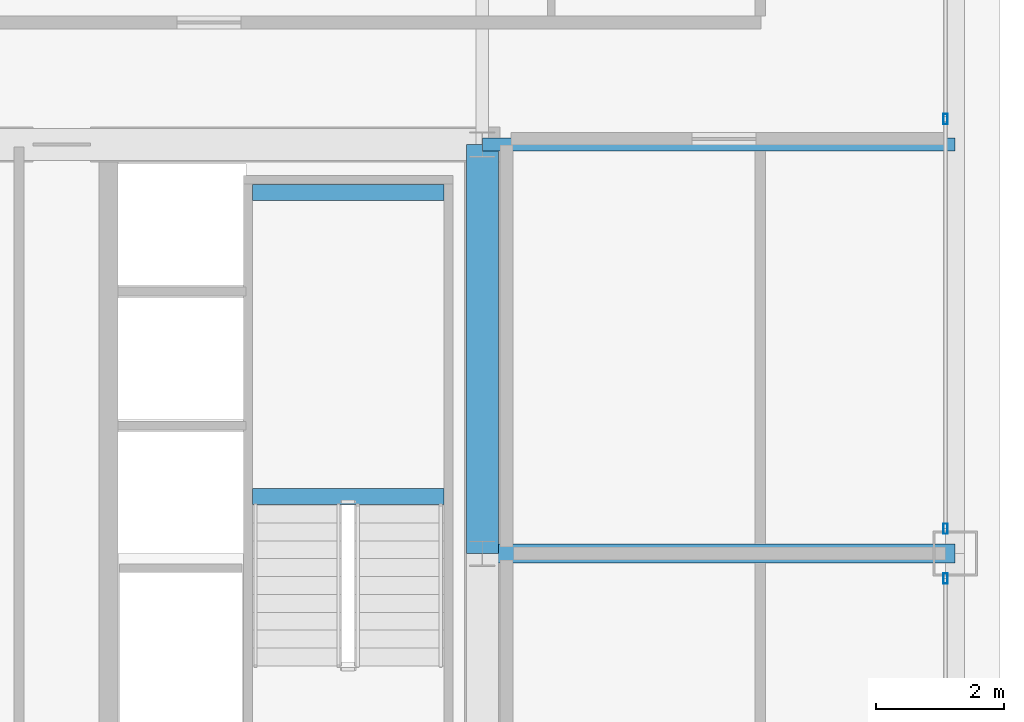
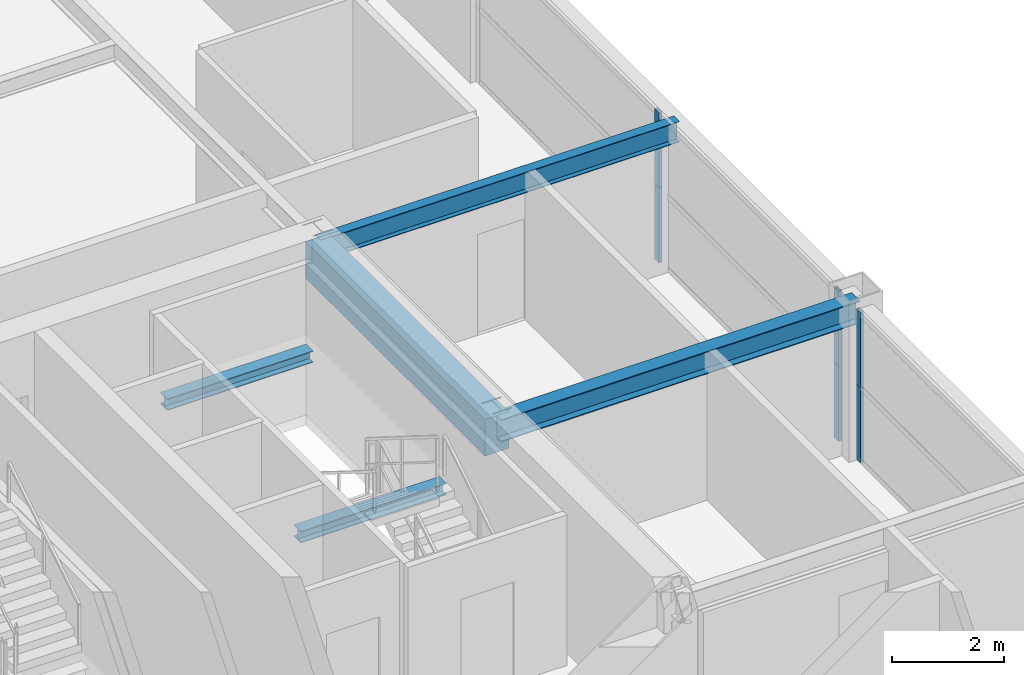
# One storey, part 20 of 36: 6 members, 5 beams, 2 elements without a shape of their own.
"""IFC4 building model written with IfcOpenShell, lengths in metres."""

from ifc_helpers import new_model, si_unit, direction, frame, origin, origin_2d, place, context, subcontext, project, spatial, rectangle, hollow_rectangle, i_section, extrude, source, transform, mapped, material, layer, layer_set, material_profile, profile_set, type_object, element, aggregate, save


model = new_model("IFC4")

# Units and contexts
model_context = context("Model", 3, precision=1e-05, world=origin(), true_north=direction((0.0, 1.0)))
body_context = subcontext(model_context, "Body", "Model", "MODEL_VIEW")
ifc_project = project(units=[si_unit("LENGTHUNIT", "METRE"), si_unit("AREAUNIT", "SQUARE_METRE"), si_unit("VOLUMEUNIT", "CUBIC_METRE"), si_unit("PLANEANGLEUNIT", "RADIAN"), si_unit("MASSUNIT", "GRAM", prefix="KILO"), si_unit("THERMODYNAMICTEMPERATUREUNIT", "KELVIN"), si_unit("POWERUNIT", "WATT")], contexts=[model_context])

# Site, building, storey
site_placement = place(None, origin())
site = spatial("IfcSite", under=ifc_project, at=site_placement, CompositionType="ELEMENT")
building_placement = place(site_placement, origin())
building = spatial("IfcBuilding", under=site, at=building_placement, Name="Yuzanri Waterfront Tower", CompositionType="ELEMENT")
storey_placement = place(building_placement, frame((0.0, 0.0, 231.10009765625)))
storey = spatial("IfcBuildingStorey", under=building, at=storey_placement, Name="L61", CompositionType="ELEMENT", Elevation=231.10009765625)

# Beams
ifc_material_1 = material(Name="Concrete C50", Category="concrete")
ifc_material_profile_1 = material_profile(ifc_material_1, rectangle(XDim=0.5, YDim=0.800048828125, at=origin_2d()), Name="RC 500x800")
ifc_profile_set_1 = profile_set([ifc_material_profile_1], Name="Concrete C50")
beam_type_1 = type_object("IfcBeamType", Name="Core Coupling Lintel Concrete C50 500x800", PredefinedType="LINTEL", material=ifc_profile_set_1)
shared_shape_1 = source(origin(), body_context, "Body", "SweptSolid", [
    extrude(rectangle(XDim=0.5, YDim=0.800048828125, at=origin_2d()), origin(), (0.0, 0.0, 1.0), 6.39990234375),
])
beam_1_placement = place(storey_placement, frame((50.199951171875, 25.800048828125, 2.8798828125), z_axis=(0.0, 1.0, 0.0), x_axis=(-1.0, 0.0, 0.0)))
element("IfcBeam", 1, at=beam_1_placement, inside=storey, type_object=beam_type_1, Name="L61 Core Tie Beam CE2", PredefinedType="LINTEL", context=body_context, shape_type="MappedRepresentation", body=[
    mapped(shared_shape_1, transform((0.0, 0.0, 0.0), scale=1.0)),
])
ifc_material_2 = material(Name="Steel Q355B", Category="steel")
ifc_material_profile_2 = material_profile(ifc_material_2, i_section(OverallWidth=0.300048828125, OverallDepth=0.488037109375, WebThickness=0.010986328125, FlangeThickness=0.01806640625, at=origin_2d()), Name="HM 488x300x11x18")
ifc_profile_set_2 = profile_set([ifc_material_profile_2], Name="Steel Q355B")
beam_type_2 = type_object("IfcBeamType", Name="Primary Floor Girder Q355B HM 488x300", PredefinedType="BEAM", material=ifc_profile_set_2)
shared_shape_2 = source(origin(), body_context, "Body", "SweptSolid", [
    extrude(i_section(OverallWidth=0.300048828125, OverallDepth=0.488037109375, WebThickness=0.010986328125, FlangeThickness=0.01806640625, at=origin_2d()), origin(), (0.0, 0.0, 1.0), 7.400146484375),
])
beam_2_placement = place(storey_placement, frame((50.199951171875, 25.800048828125, 3.035888671875), z_axis=(1.0, 0.0, 0.0), x_axis=(0.0, 1.0, 0.0)))
element("IfcBeam", 2, at=beam_2_placement, inside=storey, type_object=beam_type_2, Name="L61 East Grid Girder", PredefinedType="BEAM", context=body_context, shape_type="MappedRepresentation", body=[
    mapped(shared_shape_2, transform((0.0, 0.0, 0.0), scale=1.0)),
])
ifc_material_3 = material(Name="Steel Q355B", Category="steel")
ifc_material_profile_3 = material_profile(ifc_material_3, i_section(OverallWidth=0.199951171875, OverallDepth=0.449951171875, WebThickness=0.009033203125, FlangeThickness=0.013916015625, at=origin_2d()), Name="HN 450x200x9x14")
ifc_profile_set_3 = profile_set([ifc_material_profile_3], Name="Steel Q355B")
beam_type_3 = type_object("IfcBeamType", Name="Secondary Floor Beam Q355B HN 450x200", PredefinedType="BEAM", material=ifc_profile_set_3)
shared_shape_3 = source(origin(), body_context, "Body", "SweptSolid", [
    extrude(i_section(OverallWidth=0.199951171875, OverallDepth=0.449951171875, WebThickness=0.009033203125, FlangeThickness=0.013916015625, at=origin_2d()), origin(), (0.0, 0.0, 1.0), 7.400146484375),
])
beam_3_placement = place(storey_placement, frame((50.199951171875, 32.199951171875, 3.054931640625), z_axis=(1.0, 0.0, 0.0), x_axis=(0.0, 1.0, 0.0)))
element("IfcBeam", 3, at=beam_3_placement, inside=storey, type_object=beam_type_3, Name="L61 East-North Core Line Beam", PredefinedType="BEAM", context=body_context, shape_type="MappedRepresentation", body=[
    mapped(shared_shape_3, transform((0.0, 0.0, 0.0), scale=1.0)),
])

# Curtain wall, members
ifc_material_4 = material(Name="Anodized Architectural Bronze", Category="metal")
ifc_layer = layer(ifc_material_4, 0.159912109375)
ifc_layer_set = layer_set([ifc_layer], Name="Anodized Architectural Bronze")
curtain_wall_type = type_object("IfcCurtainWallType", Name="Anodized Bronze Mid-Rise Residential Acoustic Unitized Curtain Wall 7200", PredefinedType="NOTDEFINED", material=ifc_layer_set)
curtain_wall_1_placement = place(storey_placement, origin())
curtain_wall_1 = element("IfcCurtainWall", 4, at=curtain_wall_1_placement, inside=storey, type_object=curtain_wall_type, Name="L61 Curtain Wall CW-L61-EL", PredefinedType="NOTDEFINED")
ifc_material_5 = material(Name="Anodized Architectural Bronze", Category="metal")
ifc_material_profile_4 = material_profile(ifc_material_5, hollow_rectangle(XDim=0.06494140625, YDim=0.159912109375, WallThickness=0.00341796875, at=origin_2d()), Name="CWM 65x160")
ifc_profile_set_4 = profile_set([ifc_material_profile_4], Name="Anodized Architectural Bronze")
member_type = type_object("IfcMemberType", Name="Anodized Bronze Upper-Zone Curtain-Wall Mullion 65x160", PredefinedType="MULLION", material=ifc_profile_set_4)
shared_shape_4 = source(origin(), body_context, "Body", "SweptSolid", [
    extrude(hollow_rectangle(XDim=0.06494140625, YDim=0.159912109375, WallThickness=0.00341796875, at=origin_2d()), origin(), (0.0, 0.0, 1.0), 1.637939453125),
])
member_1_placement = place(storey_placement, frame((57.449951171875, 25.409912109375, 0.0), z_axis=(0.0, 0.0, 1.0), x_axis=(1.0, 0.0, 0.0)))
member_1 = element("IfcMember", 5, at=member_1_placement, type_object=member_type, Name="CW-L61-EL Lower Mullion 02", PredefinedType="MULLION", context=body_context, shape_type="MappedRepresentation", body=[
    mapped(shared_shape_4, transform((0.0, 0.0, 0.0), scale=1.0)),
])
member_2_placement = place(storey_placement, frame((57.449951171875, 25.409912109375, 1.641845703125), z_axis=(0.0, 0.0, 1.0), x_axis=(1.0, 0.0, 0.0)))
member_2 = element("IfcMember", 6, at=member_2_placement, type_object=member_type, Name="CW-L61-EL Upper Mullion 02", PredefinedType="MULLION", context=body_context, shape_type="MappedRepresentation", body=[
    mapped(shared_shape_4, transform((0.0, 0.0, 0.0), scale=1.0)),
])
aggregate(curtain_wall_1, [member_1, member_2])

curtain_wall_2_placement = place(storey_placement, origin())
curtain_wall_2 = element("IfcCurtainWall", 7, at=curtain_wall_2_placement, inside=storey, type_object=curtain_wall_type, Name="L61 Curtain Wall CW-L61-ER", PredefinedType="NOTDEFINED")
member_3_placement = place(storey_placement, frame((57.449951171875, 26.18994140625, 0.0), z_axis=(0.0, 0.0, 1.0), x_axis=(1.0, 0.0, 0.0)))
member_3 = element("IfcMember", 8, at=member_3_placement, type_object=member_type, Name="CW-L61-ER Lower Mullion 00", PredefinedType="MULLION", context=body_context, shape_type="MappedRepresentation", body=[
    mapped(shared_shape_4, transform((0.0, 0.0, 0.0), scale=1.0)),
])
member_4_placement = place(storey_placement, frame((57.449951171875, 26.18994140625, 1.641845703125), z_axis=(0.0, 0.0, 1.0), x_axis=(1.0, 0.0, 0.0)))
member_4 = element("IfcMember", 9, at=member_4_placement, type_object=member_type, Name="CW-L61-ER Upper Mullion 00", PredefinedType="MULLION", context=body_context, shape_type="MappedRepresentation", body=[
    mapped(shared_shape_4, transform((0.0, 0.0, 0.0), scale=1.0)),
])
member_5_placement = place(storey_placement, frame((57.449951171875, 32.60009765625, 0.0), z_axis=(0.0, 0.0, 1.0), x_axis=(1.0, 0.0, 0.0)))
member_5 = element("IfcMember", 10, at=member_5_placement, type_object=member_type, Name="CW-L61-ER Lower Mullion 01", PredefinedType="MULLION", context=body_context, shape_type="MappedRepresentation", body=[
    mapped(shared_shape_4, transform((0.0, 0.0, 0.0), scale=1.0)),
])
member_6_placement = place(storey_placement, frame((57.449951171875, 32.60009765625, 1.641845703125), z_axis=(0.0, 0.0, 1.0), x_axis=(1.0, 0.0, 0.0)))
member_6 = element("IfcMember", 11, at=member_6_placement, type_object=member_type, Name="CW-L61-ER Upper Mullion 01", PredefinedType="MULLION", context=body_context, shape_type="MappedRepresentation", body=[
    mapped(shared_shape_4, transform((0.0, 0.0, 0.0), scale=1.0)),
])
aggregate(curtain_wall_2, [member_3, member_4, member_5, member_6])

# Beams
ifc_material_6 = material(Name="Steel Q355B", Category="steel")
ifc_material_profile_5 = material_profile(ifc_material_6, i_section(OverallWidth=0.25, OverallDepth=0.25, WebThickness=0.009033203125, FlangeThickness=0.013916015625, at=origin_2d()), Name="HW 250x250x9x14")
ifc_profile_set_5 = profile_set([ifc_material_profile_5], Name="Steel Q355B")
beam_type_4 = type_object("IfcBeamType", Name="Stair Landing Support Beam Q355B HW 250x250", PredefinedType="BEAM", material=ifc_profile_set_5)
shared_shape_5 = source(origin(), body_context, "Body", "SweptSolid", [
    extrude(i_section(OverallWidth=0.25, OverallDepth=0.25, WebThickness=0.009033203125, FlangeThickness=0.013916015625, at=origin_2d()), origin(), (0.0, 0.0, 1.0), 3.0),
])
for number, where, z_axis, x_axis, name in (
    (12, (46.60009765625, 26.68994140625, 1.4248046875), (1.0, 0.0, 0.0), (0.0, 1.0, 0.0), "L61 Stair Landing Support Beam ST-02-L61-L1-1"),
    (13, (46.60009765625, 31.449951171875, 1.4248046875), (1.0, 0.0, 0.0), (0.0, 1.0, 0.0), "L61 Stair Landing Support Beam ST-02-L61-L1-2"),
):
    element("IfcBeam", number, at=place(storey_placement, frame(where, z_axis=z_axis, x_axis=x_axis)), inside=storey, type_object=beam_type_4, Name=name, PredefinedType="BEAM", context=body_context, shape_type="MappedRepresentation", body=[
        mapped(shared_shape_5, transform((0.0, 0.0, 0.0), scale=1.0)),
    ])

save(model, "model.ifc")
